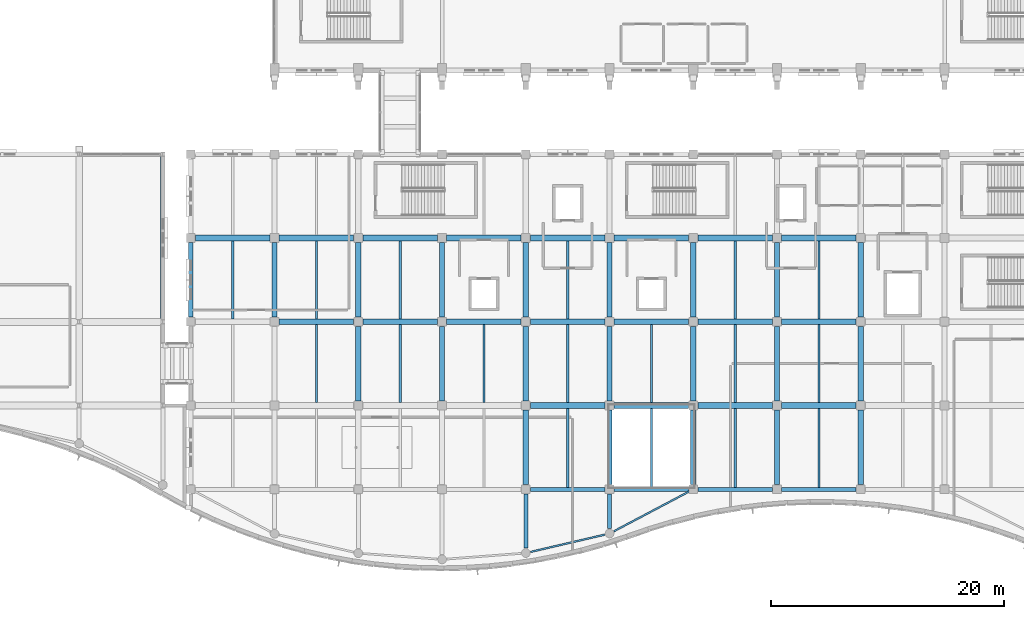
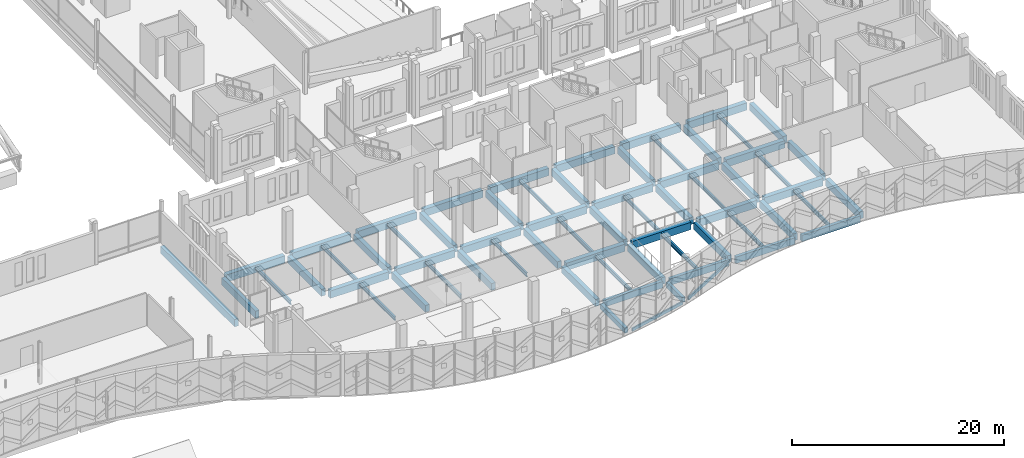
# One storey, part 61 of 193: 66 beams.
"""IFC4 building model written with IfcOpenShell, lengths in metres."""

from ifc_helpers import new_model, si_unit, direction, frame, origin, origin_2d, place, context, subcontext, project, spatial, rectangle, hollow_rectangle, i_section, extrude, material, material_profile, profile_set, type_object, element, save


model = new_model("IFC4")

# Units and contexts
model_context = context("Model", 3, precision=1e-05, world=origin(), true_north=direction((0.0, 1.0)))
body_context = subcontext(model_context, "Body", "Model", "MODEL_VIEW")
ifc_project = project(units=[si_unit("LENGTHUNIT", "METRE"), si_unit("AREAUNIT", "SQUARE_METRE"), si_unit("VOLUMEUNIT", "CUBIC_METRE"), si_unit("PLANEANGLEUNIT", "RADIAN"), si_unit("MASSUNIT", "GRAM", prefix="KILO")], contexts=[model_context])

# Site, building, storey
site_placement = place(None, origin())
site = spatial("IfcSite", under=ifc_project, at=site_placement, CompositionType="ELEMENT")
building_placement = place(site_placement, origin())
building = spatial("IfcBuilding", under=site, at=building_placement, Name="Cendralis Lancet Convention Centre", CompositionType="ELEMENT")
storey_placement = place(building_placement, frame((0.0, 0.0, 10.199951171875)))
storey = spatial("IfcBuildingStorey", under=building, at=storey_placement, Name="L02", CompositionType="ELEMENT", Elevation=10.199951171875)

# Beams
ifc_material_1 = material(Name="Concrete G35 (C35/45)", Category="concrete")
ifc_material_profile_1 = material_profile(ifc_material_1, rectangle(XDim=0.5, YDim=0.85009765625, at=origin_2d()), Name="RCB 500x850")
ifc_profile_set_1 = profile_set([ifc_material_profile_1], Name="Concrete G35 (C35/45)")
beam_type_1 = type_object("IfcBeamType", Name="STR-BM-BG08", PredefinedType="BEAM", material=ifc_profile_set_1)
for number, where, z_axis, x_axis, name in (
    (1, (161.199951171875, 14.39990234375, -0.724853515625), (1.0, 0.0, 0.0), (0.0, 1.0, 0.0), "L02 Beam BG08 #0267"),
    (2, (168.39990234375, 14.39990234375, -0.724853515625), (1.0, 0.0, 0.0), (0.0, 1.0, 0.0), "L02 Beam BG08 #0268"),
):
    element("IfcBeam", number, at=place(storey_placement, frame(where, z_axis=z_axis, x_axis=x_axis)), inside=storey, type_object=beam_type_1, Name=name, PredefinedType="BEAM", context=body_context, shape_type="SweptSolid", body=[
        extrude(rectangle(XDim=0.5, YDim=0.85009765625, at=origin_2d()), origin(), (0.0, 0.0, 1.0), 6.400146484375),
    ])
for number, where, z_axis, x_axis, name in (
    (3, (175.60009765625, 14.39990234375, -0.724853515625), (1.0, 0.0, 0.0), (0.0, 1.0, 0.0), "L02 Beam BG08 #0269"),
    (4, (182.800048828125, 14.39990234375, -0.724853515625), (1.0, 0.0, 0.0), (0.0, 1.0, 0.0), "L02 Beam BG08 #0270"),
    (5, (139.60009765625, 21.60009765625, -0.724853515625), (1.0, 0.0, 0.0), (0.0, 1.0, 0.0), "L02 Beam BG08 #0274"),
    (6, (146.800048828125, 21.60009765625, -0.724853515625), (1.0, 0.0, 0.0), (0.0, 1.0, 0.0), "L02 Beam BG08 #0275"),
    (7, (154.0, 21.60009765625, -0.724853515625), (1.0, 0.0, 0.0), (0.0, 1.0, 0.0), "L02 Beam BG08 #0276"),
):
    element("IfcBeam", number, at=place(storey_placement, frame(where, z_axis=z_axis, x_axis=x_axis)), inside=storey, type_object=beam_type_1, Name=name, PredefinedType="BEAM", context=body_context, shape_type="SweptSolid", body=[
        extrude(rectangle(XDim=0.5, YDim=0.85009765625, at=origin_2d()), origin(), (0.0, 0.0, 1.0), 6.39990234375),
    ])
for number, where, z_axis, x_axis, name in (
    (8, (161.199951171875, 21.60009765625, -0.724853515625), (1.0, 0.0, 0.0), (0.0, 1.0, 0.0), "L02 Beam BG08 #0277"),
    (9, (168.39990234375, 21.60009765625, -0.724853515625), (1.0, 0.0, 0.0), (0.0, 1.0, 0.0), "L02 Beam BG08 #0278"),
):
    element("IfcBeam", number, at=place(storey_placement, frame(where, z_axis=z_axis, x_axis=x_axis)), inside=storey, type_object=beam_type_1, Name=name, PredefinedType="BEAM", context=body_context, shape_type="SweptSolid", body=[
        extrude(rectangle(XDim=0.5, YDim=0.85009765625, at=origin_2d()), origin(), (0.0, 0.0, 1.0), 6.400146484375),
    ])
for number, where, z_axis, x_axis, name in (
    (10, (175.60009765625, 21.60009765625, -0.724853515625), (1.0, 0.0, 0.0), (0.0, 1.0, 0.0), "L02 Beam BG08 #0279"),
    (11, (182.800048828125, 21.60009765625, -0.724853515625), (1.0, 0.0, 0.0), (0.0, 1.0, 0.0), "L02 Beam BG08 #0280"),
):
    element("IfcBeam", number, at=place(storey_placement, frame(where, z_axis=z_axis, x_axis=x_axis)), inside=storey, type_object=beam_type_1, Name=name, PredefinedType="BEAM", context=body_context, shape_type="SweptSolid", body=[
        extrude(rectangle(XDim=0.5, YDim=0.85009765625, at=origin_2d()), origin(), (0.0, 0.0, 1.0), 6.39990234375),
    ])
beam_1_placement = place(storey_placement, frame((132.39990234375, 28.800048828125, -0.724853515625), z_axis=(1.0, 0.0, 0.0), x_axis=(0.0, 1.0, 0.0)))
element("IfcBeam", 12, at=beam_1_placement, inside=storey, type_object=beam_type_1, Name="L02 Beam BG08 #0283", PredefinedType="BEAM", context=body_context, shape_type="SweptSolid", body=[
    extrude(rectangle(XDim=0.5, YDim=0.85009765625, at=origin_2d()), origin(), (0.0, 0.0, 1.0), 6.400146484375),
])
for number, where, z_axis, x_axis, name in (
    (13, (139.60009765625, 28.800048828125, -0.724853515625), (1.0, 0.0, 0.0), (0.0, 1.0, 0.0), "L02 Beam BG08 #0284"),
    (14, (146.800048828125, 28.800048828125, -0.724853515625), (1.0, 0.0, 0.0), (0.0, 1.0, 0.0), "L02 Beam BG08 #0285"),
    (15, (154.0, 28.800048828125, -0.724853515625), (1.0, 0.0, 0.0), (0.0, 1.0, 0.0), "L02 Beam BG08 #0286"),
):
    element("IfcBeam", number, at=place(storey_placement, frame(where, z_axis=z_axis, x_axis=x_axis)), inside=storey, type_object=beam_type_1, Name=name, PredefinedType="BEAM", context=body_context, shape_type="SweptSolid", body=[
        extrude(rectangle(XDim=0.5, YDim=0.85009765625, at=origin_2d()), origin(), (0.0, 0.0, 1.0), 6.39990234375),
    ])
for number, where, z_axis, x_axis, name in (
    (16, (161.199951171875, 28.800048828125, -0.724853515625), (1.0, 0.0, 0.0), (0.0, 1.0, 0.0), "L02 Beam BG08 #0287"),
    (17, (168.39990234375, 28.800048828125, -0.724853515625), (1.0, 0.0, 0.0), (0.0, 1.0, 0.0), "L02 Beam BG08 #0288"),
):
    element("IfcBeam", number, at=place(storey_placement, frame(where, z_axis=z_axis, x_axis=x_axis)), inside=storey, type_object=beam_type_1, Name=name, PredefinedType="BEAM", context=body_context, shape_type="SweptSolid", body=[
        extrude(rectangle(XDim=0.5, YDim=0.85009765625, at=origin_2d()), origin(), (0.0, 0.0, 1.0), 6.400146484375),
    ])
for number, where, z_axis, x_axis, name in (
    (18, (175.60009765625, 28.800048828125, -0.724853515625), (1.0, 0.0, 0.0), (0.0, 1.0, 0.0), "L02 Beam BG08 #0289"),
    (19, (182.800048828125, 28.800048828125, -0.724853515625), (1.0, 0.0, 0.0), (0.0, 1.0, 0.0), "L02 Beam BG08 #0290"),
):
    element("IfcBeam", number, at=place(storey_placement, frame(where, z_axis=z_axis, x_axis=x_axis)), inside=storey, type_object=beam_type_1, Name=name, PredefinedType="BEAM", context=body_context, shape_type="SweptSolid", body=[
        extrude(rectangle(XDim=0.5, YDim=0.85009765625, at=origin_2d()), origin(), (0.0, 0.0, 1.0), 6.39990234375),
    ])
ifc_material_profile_2 = material_profile(ifc_material_1, rectangle(XDim=0.449951171875, YDim=0.800048828125, at=origin_2d()), Name="RCB 450x800")
ifc_profile_set_2 = profile_set([ifc_material_profile_2], Name="Concrete G35 (C35/45)")
beam_type_2 = type_object("IfcBeamType", Name="STR-BM-BG10", PredefinedType="BEAM", material=ifc_profile_set_2)
for number, where, z_axis, x_axis, name in (
    (20, (139.199951171875, 22.0, -0.699951171875), (0.0, 1.0, 0.0), (-1.0, 0.0, 0.0), "L02 Beam BG10 #0309"),
    (21, (146.39990234375, 14.800048828125, -0.699951171875), (0.0, 1.0, 0.0), (-1.0, 0.0, 0.0), "L02 Beam BG10 #0312"),
    (22, (146.39990234375, 22.0, -0.699951171875), (0.0, 1.0, 0.0), (-1.0, 0.0, 0.0), "L02 Beam BG10 #0313"),
    (23, (153.60009765625, 14.800048828125, -0.699951171875), (0.0, 1.0, 0.0), (-1.0, 0.0, 0.0), "L02 Beam BG10 #0316"),
    (24, (153.60009765625, 22.0, -0.699951171875), (0.0, 1.0, 0.0), (-1.0, 0.0, 0.0), "L02 Beam BG10 #0317"),
    (25, (160.800048828125, 7.60009765625, -0.699951171875), (0.0, 1.0, 0.0), (-1.0, 0.0, 0.0), "L02 Beam BG10 #0318"),
    (26, (160.800048828125, 14.800048828125, -0.699951171875), (0.0, 1.0, 0.0), (-1.0, 0.0, 0.0), "L02 Beam BG10 #0319"),
    (27, (160.800048828125, 22.0, -0.699951171875), (0.0, 1.0, 0.0), (-1.0, 0.0, 0.0), "L02 Beam BG10 #0320"),
    (28, (168.0, 7.60009765625, -0.699951171875), (0.0, 1.0, 0.0), (-1.0, 0.0, 0.0), "L02 Beam BG10 #0322"),
    (29, (168.0, 14.800048828125, -0.699951171875), (0.0, 1.0, 0.0), (-1.0, 0.0, 0.0), "L02 Beam BG10 #0323"),
    (30, (168.0, 22.0, -0.699951171875), (0.0, 1.0, 0.0), (-1.0, 0.0, 0.0), "L02 Beam BG10 #0324"),
    (31, (175.199951171875, 7.60009765625, -0.699951171875), (0.0, 1.0, 0.0), (-1.0, 0.0, 0.0), "L02 Beam BG10 #0326"),
    (32, (175.199951171875, 14.800048828125, -0.699951171875), (0.0, 1.0, 0.0), (-1.0, 0.0, 0.0), "L02 Beam BG10 #0327"),
    (33, (175.199951171875, 22.0, -0.699951171875), (0.0, 1.0, 0.0), (-1.0, 0.0, 0.0), "L02 Beam BG10 #0328"),
    (34, (182.39990234375, 7.60009765625, -0.699951171875), (0.0, 1.0, 0.0), (-1.0, 0.0, 0.0), "L02 Beam BG10 #0329"),
    (35, (182.39990234375, 14.800048828125, -0.699951171875), (0.0, 1.0, 0.0), (-1.0, 0.0, 0.0), "L02 Beam BG10 #0330"),
    (36, (182.39990234375, 22.0, -0.699951171875), (0.0, 1.0, 0.0), (-1.0, 0.0, 0.0), "L02 Beam BG10 #0331"),
    (37, (189.60009765625, 7.60009765625, -0.699951171875), (0.0, 1.0, 0.0), (-1.0, 0.0, 0.0), "L02 Beam BG10 #0333"),
    (38, (189.60009765625, 14.800048828125, -0.699951171875), (0.0, 1.0, 0.0), (-1.0, 0.0, 0.0), "L02 Beam BG10 #0334"),
    (39, (189.60009765625, 22.0, -0.699951171875), (0.0, 1.0, 0.0), (-1.0, 0.0, 0.0), "L02 Beam BG10 #0335"),
):
    element("IfcBeam", number, at=place(storey_placement, frame(where, z_axis=z_axis, x_axis=x_axis)), inside=storey, type_object=beam_type_2, Name=name, PredefinedType="BEAM", context=body_context, shape_type="SweptSolid", body=[
        extrude(rectangle(XDim=0.449951171875, YDim=0.800048828125, at=origin_2d()), origin(), (0.0, 0.0, 1.0), 6.39990234375),
    ])
ifc_material_profile_3 = material_profile(ifc_material_1, rectangle(XDim=0.35009765625, YDim=0.60009765625, at=origin_2d()), Name="RCB 350x600")
ifc_profile_set_3 = profile_set([ifc_material_profile_3], Name="Concrete G35 (C35/45)")
beam_type_3 = type_object("IfcBeamType", Name="STR-BM-BG16", PredefinedType="BEAM", material=ifc_profile_set_3)
beam_2_placement = place(storey_placement, frame((160.800048828125, 2.1455078125, -0.599853515625), z_axis=(0.0, 1.0, 0.0), x_axis=(-1.0, 0.0, 0.0)))
element("IfcBeam", 40, at=beam_2_placement, inside=storey, type_object=beam_type_3, Name="L02 Beam BG16 #1083", PredefinedType="BEAM", context=body_context, shape_type="SweptSolid", body=[
    extrude(rectangle(XDim=0.35009765625, YDim=0.60009765625, at=origin_2d()), origin(), (0.0, 0.0, 1.0), 4.654541015625),
])
beam_3_placement = place(storey_placement, frame((168.0, 3.8212890625, -0.599853515625), z_axis=(0.0, 1.0, 0.0), x_axis=(-1.0, 0.0, 0.0)))
element("IfcBeam", 41, at=beam_3_placement, inside=storey, type_object=beam_type_3, Name="L02 Beam BG16 #1084", PredefinedType="BEAM", context=body_context, shape_type="SweptSolid", body=[
    extrude(rectangle(XDim=0.35009765625, YDim=0.60009765625, at=origin_2d()), origin(), (0.0, 0.0, 1.0), 2.978759765625),
])
ifc_material_2 = material(Name="Steel S355", Category="steel")
ifc_material_profile_4 = material_profile(ifc_material_2, i_section(OverallWidth=0.18994140625, OverallDepth=0.449951171875, WebThickness=0.009521484375, FlangeThickness=0.0146484375, FilletRadius=0.02099609375, at=origin_2d()), Name="IPE 450")
ifc_profile_set_4 = profile_set([ifc_material_profile_4], Name="Steel S355")
beam_type_4 = type_object("IfcBeamType", Name="STR-JS-BJ07", PredefinedType="JOIST", material=ifc_profile_set_4)
beam_4_placement = place(storey_placement, frame((135.60009765625, 21.85009765625, -0.52490234375), z_axis=(0.0, 1.0, 0.0), x_axis=(-1.0, 0.0, 0.0)))
element("IfcBeam", 42, at=beam_4_placement, inside=storey, type_object=beam_type_4, Name="L02 Beam BJ07 #0347", PredefinedType="JOIST", context=body_context, shape_type="SweptSolid", body=[
    extrude(i_section(OverallWidth=0.18994140625, OverallDepth=0.449951171875, WebThickness=0.009521484375, FlangeThickness=0.0146484375, FilletRadius=0.02099609375, at=origin_2d()), origin(), (0.0, 0.0, 1.0), 6.699951171875),
])
beam_5_placement = place(storey_placement, frame((142.800048828125, 14.64990234375, -0.52490234375), z_axis=(0.0, 1.0, 0.0), x_axis=(-1.0, 0.0, 0.0)))
element("IfcBeam", 43, at=beam_5_placement, inside=storey, type_object=beam_type_4, Name="L02 Beam BJ07 #0350", PredefinedType="JOIST", context=body_context, shape_type="SweptSolid", body=[
    extrude(i_section(OverallWidth=0.18994140625, OverallDepth=0.449951171875, WebThickness=0.009521484375, FlangeThickness=0.0146484375, FilletRadius=0.02099609375, at=origin_2d()), origin(), (0.0, 0.0, 1.0), 6.7001953125),
])
beam_6_placement = place(storey_placement, frame((142.800048828125, 21.85009765625, -0.52490234375), z_axis=(0.0, 1.0, 0.0), x_axis=(-1.0, 0.0, 0.0)))
element("IfcBeam", 44, at=beam_6_placement, inside=storey, type_object=beam_type_4, Name="L02 Beam BJ07 #0351", PredefinedType="JOIST", context=body_context, shape_type="SweptSolid", body=[
    extrude(i_section(OverallWidth=0.18994140625, OverallDepth=0.449951171875, WebThickness=0.009521484375, FlangeThickness=0.0146484375, FilletRadius=0.02099609375, at=origin_2d()), origin(), (0.0, 0.0, 1.0), 6.699951171875),
])
beam_7_placement = place(storey_placement, frame((150.0, 14.64990234375, -0.52490234375), z_axis=(0.0, 1.0, 0.0), x_axis=(-1.0, 0.0, 0.0)))
element("IfcBeam", 45, at=beam_7_placement, inside=storey, type_object=beam_type_4, Name="L02 Beam BJ07 #0354", PredefinedType="JOIST", context=body_context, shape_type="SweptSolid", body=[
    extrude(i_section(OverallWidth=0.18994140625, OverallDepth=0.449951171875, WebThickness=0.009521484375, FlangeThickness=0.0146484375, FilletRadius=0.02099609375, at=origin_2d()), origin(), (0.0, 0.0, 1.0), 6.7001953125),
])
beam_8_placement = place(storey_placement, frame((150.0, 21.85009765625, -0.52490234375), z_axis=(0.0, 1.0, 0.0), x_axis=(-1.0, 0.0, 0.0)))
element("IfcBeam", 46, at=beam_8_placement, inside=storey, type_object=beam_type_4, Name="L02 Beam BJ07 #0355", PredefinedType="JOIST", context=body_context, shape_type="SweptSolid", body=[
    extrude(i_section(OverallWidth=0.18994140625, OverallDepth=0.449951171875, WebThickness=0.009521484375, FlangeThickness=0.0146484375, FilletRadius=0.02099609375, at=origin_2d()), origin(), (0.0, 0.0, 1.0), 6.699951171875),
])
beam_9_placement = place(storey_placement, frame((157.199951171875, 14.64990234375, -0.52490234375), z_axis=(0.0, 1.0, 0.0), x_axis=(-1.0, 0.0, 0.0)))
element("IfcBeam", 47, at=beam_9_placement, inside=storey, type_object=beam_type_4, Name="L02 Beam BJ07 #0357", PredefinedType="JOIST", context=body_context, shape_type="SweptSolid", body=[
    extrude(i_section(OverallWidth=0.18994140625, OverallDepth=0.449951171875, WebThickness=0.009521484375, FlangeThickness=0.0146484375, FilletRadius=0.02099609375, at=origin_2d()), origin(), (0.0, 0.0, 1.0), 6.7001953125),
])
beam_10_placement = place(storey_placement, frame((164.39990234375, 7.375, -0.52490234375), z_axis=(0.0, 1.0, 0.0), x_axis=(-1.0, 0.0, 0.0)))
element("IfcBeam", 48, at=beam_10_placement, inside=storey, type_object=beam_type_4, Name="L02 Beam BJ07 #0359", PredefinedType="JOIST", context=body_context, shape_type="SweptSolid", body=[
    extrude(i_section(OverallWidth=0.18994140625, OverallDepth=0.449951171875, WebThickness=0.009521484375, FlangeThickness=0.0146484375, FilletRadius=0.02099609375, at=origin_2d()), origin(), (0.0, 0.0, 1.0), 6.77490234375),
])
beam_11_placement = place(storey_placement, frame((164.39990234375, 14.64990234375, -0.52490234375), z_axis=(0.0, 1.0, 0.0), x_axis=(-1.0, 0.0, 0.0)))
element("IfcBeam", 49, at=beam_11_placement, inside=storey, type_object=beam_type_4, Name="L02 Beam BJ07 #0360", PredefinedType="JOIST", context=body_context, shape_type="SweptSolid", body=[
    extrude(i_section(OverallWidth=0.18994140625, OverallDepth=0.449951171875, WebThickness=0.009521484375, FlangeThickness=0.0146484375, FilletRadius=0.02099609375, at=origin_2d()), origin(), (0.0, 0.0, 1.0), 6.7001953125),
])
beam_12_placement = place(storey_placement, frame((164.39990234375, 21.85009765625, -0.52490234375), z_axis=(0.0, 1.0, 0.0), x_axis=(-1.0, 0.0, 0.0)))
element("IfcBeam", 50, at=beam_12_placement, inside=storey, type_object=beam_type_4, Name="L02 Beam BJ07 #0361", PredefinedType="JOIST", context=body_context, shape_type="SweptSolid", body=[
    extrude(i_section(OverallWidth=0.18994140625, OverallDepth=0.449951171875, WebThickness=0.009521484375, FlangeThickness=0.0146484375, FilletRadius=0.02099609375, at=origin_2d()), origin(), (0.0, 0.0, 1.0), 6.699951171875),
])
beam_13_placement = place(storey_placement, frame((171.60009765625, 7.375, -0.52490234375), z_axis=(0.0, 1.0, 0.0), x_axis=(-1.0, 0.0, 0.0)))
element("IfcBeam", 51, at=beam_13_placement, inside=storey, type_object=beam_type_4, Name="L02 Beam BJ07 #0362", PredefinedType="JOIST", context=body_context, shape_type="SweptSolid", body=[
    extrude(i_section(OverallWidth=0.18994140625, OverallDepth=0.449951171875, WebThickness=0.009521484375, FlangeThickness=0.0146484375, FilletRadius=0.02099609375, at=origin_2d()), origin(), (0.0, 0.0, 1.0), 6.77490234375),
])
beam_14_placement = place(storey_placement, frame((171.60009765625, 14.64990234375, -0.52490234375), z_axis=(0.0, 1.0, 0.0), x_axis=(-1.0, 0.0, 0.0)))
element("IfcBeam", 52, at=beam_14_placement, inside=storey, type_object=beam_type_4, Name="L02 Beam BJ07 #0363", PredefinedType="JOIST", context=body_context, shape_type="SweptSolid", body=[
    extrude(i_section(OverallWidth=0.18994140625, OverallDepth=0.449951171875, WebThickness=0.009521484375, FlangeThickness=0.0146484375, FilletRadius=0.02099609375, at=origin_2d()), origin(), (0.0, 0.0, 1.0), 6.7001953125),
])
beam_15_placement = place(storey_placement, frame((178.800048828125, 7.375, -0.52490234375), z_axis=(0.0, 1.0, 0.0), x_axis=(-1.0, 0.0, 0.0)))
element("IfcBeam", 53, at=beam_15_placement, inside=storey, type_object=beam_type_4, Name="L02 Beam BJ07 #0364", PredefinedType="JOIST", context=body_context, shape_type="SweptSolid", body=[
    extrude(i_section(OverallWidth=0.18994140625, OverallDepth=0.449951171875, WebThickness=0.009521484375, FlangeThickness=0.0146484375, FilletRadius=0.02099609375, at=origin_2d()), origin(), (0.0, 0.0, 1.0), 6.77490234375),
])
beam_16_placement = place(storey_placement, frame((178.800048828125, 14.64990234375, -0.52490234375), z_axis=(0.0, 1.0, 0.0), x_axis=(-1.0, 0.0, 0.0)))
element("IfcBeam", 54, at=beam_16_placement, inside=storey, type_object=beam_type_4, Name="L02 Beam BJ07 #0365", PredefinedType="JOIST", context=body_context, shape_type="SweptSolid", body=[
    extrude(i_section(OverallWidth=0.18994140625, OverallDepth=0.449951171875, WebThickness=0.009521484375, FlangeThickness=0.0146484375, FilletRadius=0.02099609375, at=origin_2d()), origin(), (0.0, 0.0, 1.0), 6.7001953125),
])
beam_17_placement = place(storey_placement, frame((178.800048828125, 21.85009765625, -0.52490234375), z_axis=(0.0, 1.0, 0.0), x_axis=(-1.0, 0.0, 0.0)))
element("IfcBeam", 55, at=beam_17_placement, inside=storey, type_object=beam_type_4, Name="L02 Beam BJ07 #0366", PredefinedType="JOIST", context=body_context, shape_type="SweptSolid", body=[
    extrude(i_section(OverallWidth=0.18994140625, OverallDepth=0.449951171875, WebThickness=0.009521484375, FlangeThickness=0.0146484375, FilletRadius=0.02099609375, at=origin_2d()), origin(), (0.0, 0.0, 1.0), 6.699951171875),
])
beam_18_placement = place(storey_placement, frame((186.0, 7.375, -0.52490234375), z_axis=(0.0, 1.0, 0.0), x_axis=(-1.0, 0.0, 0.0)))
element("IfcBeam", 56, at=beam_18_placement, inside=storey, type_object=beam_type_4, Name="L02 Beam BJ07 #0368", PredefinedType="JOIST", context=body_context, shape_type="SweptSolid", body=[
    extrude(i_section(OverallWidth=0.18994140625, OverallDepth=0.449951171875, WebThickness=0.009521484375, FlangeThickness=0.0146484375, FilletRadius=0.02099609375, at=origin_2d()), origin(), (0.0, 0.0, 1.0), 6.77490234375),
])
beam_19_placement = place(storey_placement, frame((186.0, 14.64990234375, -0.52490234375), z_axis=(0.0, 1.0, 0.0), x_axis=(-1.0, 0.0, 0.0)))
element("IfcBeam", 57, at=beam_19_placement, inside=storey, type_object=beam_type_4, Name="L02 Beam BJ07 #0369", PredefinedType="JOIST", context=body_context, shape_type="SweptSolid", body=[
    extrude(i_section(OverallWidth=0.18994140625, OverallDepth=0.449951171875, WebThickness=0.009521484375, FlangeThickness=0.0146484375, FilletRadius=0.02099609375, at=origin_2d()), origin(), (0.0, 0.0, 1.0), 6.7001953125),
])
beam_20_placement = place(storey_placement, frame((186.0, 21.85009765625, -0.52490234375), z_axis=(0.0, 1.0, 0.0), x_axis=(-1.0, 0.0, 0.0)))
element("IfcBeam", 58, at=beam_20_placement, inside=storey, type_object=beam_type_4, Name="L02 Beam BJ07 #0370", PredefinedType="JOIST", context=body_context, shape_type="SweptSolid", body=[
    extrude(i_section(OverallWidth=0.18994140625, OverallDepth=0.449951171875, WebThickness=0.009521484375, FlangeThickness=0.0146484375, FilletRadius=0.02099609375, at=origin_2d()), origin(), (0.0, 0.0, 1.0), 6.699951171875),
])
ifc_material_3 = material(Name="Concrete G40 (C40/50)", Category="concrete")
ifc_material_profile_5 = material_profile(ifc_material_3, rectangle(XDim=0.35009765625, YDim=0.75, at=origin_2d()), Name="RCB 350x750")
ifc_profile_set_5 = profile_set([ifc_material_profile_5], Name="Concrete G40 (C40/50)")
beam_type_5 = type_object("IfcBeamType", Name="STR-SP-SP01", PredefinedType="SPANDREL", material=ifc_profile_set_5)
for number, where, z_axis, x_axis, name in (
    (59, (161.199951171875, 7.199951171875, -0.675048828125), (1.0, 0.0, 0.0), (0.0, 1.0, 0.0), "L02 Beam SP01 #0257"),
    (60, (168.39990234375, 7.199951171875, -0.675048828125), (1.0, 0.0, 0.0), (0.0, 1.0, 0.0), "L02 Beam SP01 #0258"),
):
    element("IfcBeam", number, at=place(storey_placement, frame(where, z_axis=z_axis, x_axis=x_axis)), inside=storey, type_object=beam_type_5, Name=name, PredefinedType="SPANDREL", context=body_context, shape_type="SweptSolid", body=[
        extrude(rectangle(XDim=0.35009765625, YDim=0.75, at=origin_2d()), origin(), (0.0, 0.0, 1.0), 6.400146484375),
    ])
for number, where, z_axis, x_axis, name in (
    (61, (175.60009765625, 7.199951171875, -0.675048828125), (1.0, 0.0, 0.0), (0.0, 1.0, 0.0), "L02 Beam SP01 #0259"),
    (62, (182.800048828125, 7.199951171875, -0.675048828125), (1.0, 0.0, 0.0), (0.0, 1.0, 0.0), "L02 Beam SP01 #0260"),
):
    element("IfcBeam", number, at=place(storey_placement, frame(where, z_axis=z_axis, x_axis=x_axis)), inside=storey, type_object=beam_type_5, Name=name, PredefinedType="SPANDREL", context=body_context, shape_type="SweptSolid", body=[
        extrude(rectangle(XDim=0.35009765625, YDim=0.75, at=origin_2d()), origin(), (0.0, 0.0, 1.0), 6.39990234375),
    ])
ifc_material_profile_6 = material_profile(ifc_material_3, rectangle(XDim=0.39990234375, YDim=0.85009765625, at=origin_2d()), Name="RCB 400x850")
ifc_profile_set_6 = profile_set([ifc_material_profile_6], Name="Concrete G40 (C40/50)")
beam_type_6 = type_object("IfcBeamType", Name="STR-SP-SP02", PredefinedType="SPANDREL", material=ifc_profile_set_6)
beam_21_placement = place(storey_placement, frame((132.0, 22.0, -0.724853515625), z_axis=(0.0, 1.0, 0.0), x_axis=(-1.0, 0.0, 0.0)))
element("IfcBeam", 63, at=beam_21_placement, inside=storey, type_object=beam_type_6, Name="L02 Beam SP02 #0305", PredefinedType="SPANDREL", context=body_context, shape_type="SweptSolid", body=[
    extrude(rectangle(XDim=0.39990234375, YDim=0.85009765625, at=origin_2d()), origin(), (0.0, 0.0, 1.0), 6.39990234375),
])
beam_22_placement = place(storey_placement, frame((129.60009765625, 21.800048828125, -0.724853515625), z_axis=(0.0, 1.0, 0.0), x_axis=(-1.0, 0.0, 0.0)))
element("IfcBeam", 64, at=beam_22_placement, inside=storey, type_object=beam_type_6, Name="L02 Beam SP02 #0878", PredefinedType="SPANDREL", context=body_context, shape_type="SweptSolid", body=[
    extrude(rectangle(XDim=0.39990234375, YDim=0.85009765625, at=origin_2d()), origin(), (0.0, 0.0, 1.0), 14.0),
])
ifc_material_profile_7 = material_profile(ifc_material_2, hollow_rectangle(XDim=0.14990234375, YDim=0.35009765625, WallThickness=0.012451171875, at=origin_2d()), Name="RHS 350x150x12.5")
ifc_profile_set_7 = profile_set([ifc_material_profile_7], Name="Steel S355")
beam_type_7 = type_object("IfcBeamType", Name="STR-SP-SP04", PredefinedType="SPANDREL", material=ifc_profile_set_7)
beam_23_placement = place(storey_placement, frame((161.2138671875, 1.81689453125, -0.474853515625), z_axis=(0.973975085565, 0.226655096346, 0.0), x_axis=(-0.226655096346, 0.973975085565, 0.0)))
element("IfcBeam", 65, at=beam_23_placement, inside=storey, type_object=beam_type_7, Name="L02 Beam SP04 #1098", PredefinedType="SPANDREL", context=body_context, shape_type="SweptSolid", body=[
    extrude(hollow_rectangle(XDim=0.14990234375, YDim=0.35009765625, WallThickness=0.012451171875, at=origin_2d()), origin(), (0.0, 0.0, 1.0), 6.54248046875),
])
beam_24_placement = place(storey_placement, frame((168.375732421875, 3.5947265625, -0.474853515625), z_axis=(0.884187664312, 0.467131859627, 0.0), x_axis=(-0.467131859627, 0.884187664312, 0.0)))
element("IfcBeam", 66, at=beam_24_placement, inside=storey, type_object=beam_type_7, Name="L02 Beam SP04 #1099", PredefinedType="SPANDREL", context=body_context, shape_type="SweptSolid", body=[
    extrude(hollow_rectangle(XDim=0.14990234375, YDim=0.35009765625, WallThickness=0.012451171875, at=origin_2d()), origin(), (0.0, 0.0, 1.0), 7.31787109375),
])

save(model, "model.ifc")
